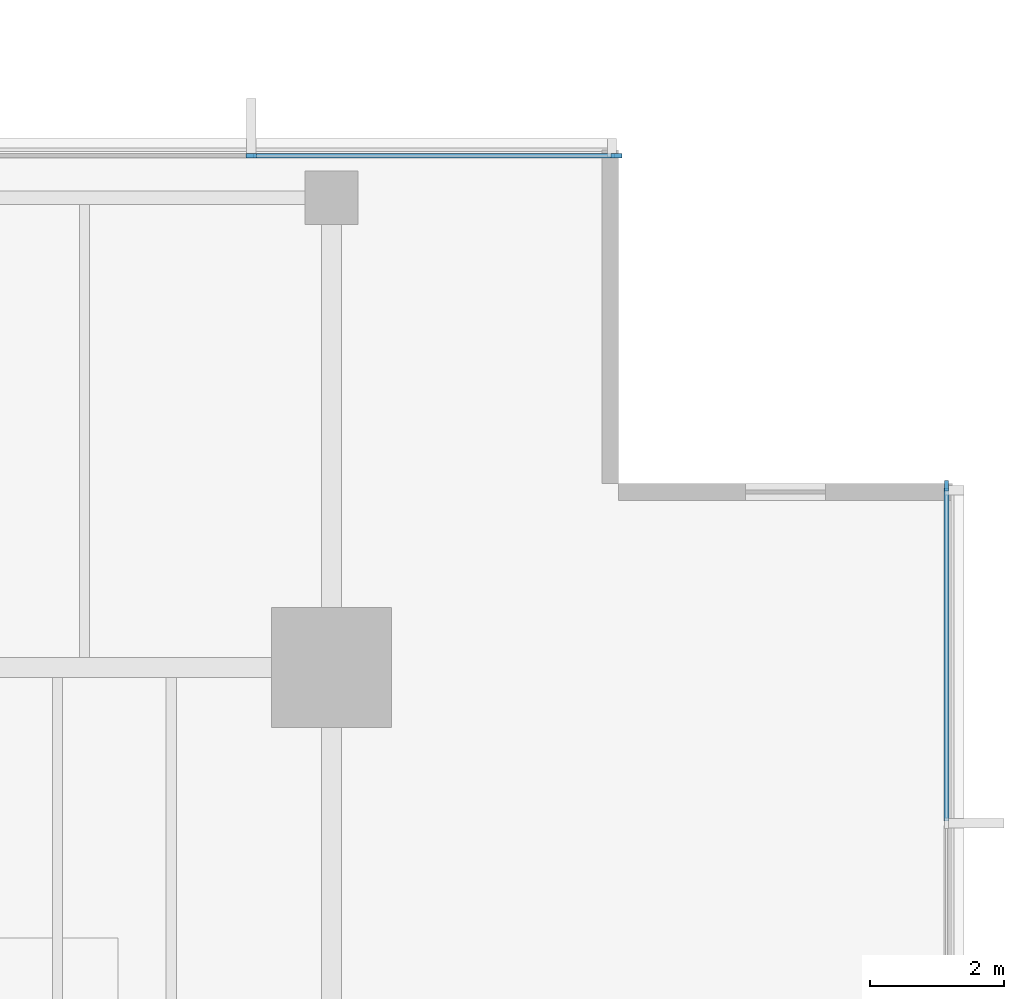
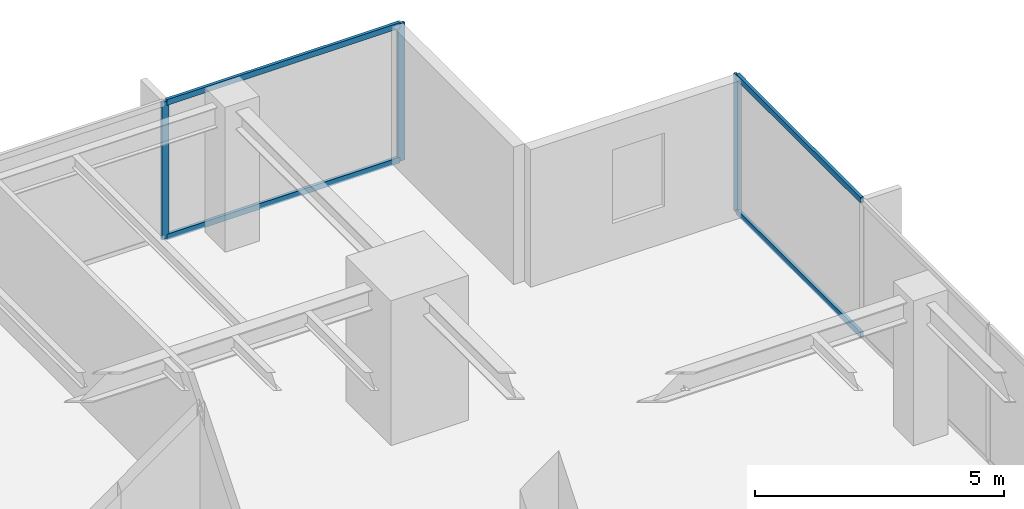
# One storey, part 6 of 14: 7 members, 2 elements without a shape of their own.
"""IFC4 building model written with IfcOpenShell, lengths in metres."""

from ifc_helpers import new_model, si_unit, direction, frame, origin, origin_2d, place, context, subcontext, project, spatial, rectangle, extrude, material, layer, layer_set, material_profile, profile_set, type_object, element, aggregate, save


model = new_model("IFC4")

# Units and contexts
model_context = context("Model", 3, precision=1e-05, world=origin(), true_north=direction((0.0, 1.0)))
body_context = subcontext(model_context, "Body", "Model", "MODEL_VIEW")
ifc_project = project(units=[si_unit("LENGTHUNIT", "METRE"), si_unit("AREAUNIT", "SQUARE_METRE"), si_unit("VOLUMEUNIT", "CUBIC_METRE"), si_unit("PLANEANGLEUNIT", "RADIAN"), si_unit("MASSUNIT", "GRAM", prefix="KILO")], contexts=[model_context])

# Site, building, storey
site_placement = place(None, origin())
site = spatial("IfcSite", under=ifc_project, at=site_placement, CompositionType="ELEMENT")
building_placement = place(site_placement, origin())
building = spatial("IfcBuilding", under=site, at=building_placement, Name="Kinhvarn Gate Tower", CompositionType="ELEMENT")
storey_placement = place(building_placement, frame((0.0, 0.0, 188.050048828125)))
storey = spatial("IfcBuildingStorey", under=building, at=storey_placement, Name="L49", CompositionType="ELEMENT", Elevation=188.050048828125)

# Curtain wall, members
ifc_material = material(Name="Anodised aluminium AW-6063", Category="aluminium")
ifc_layer = layer(ifc_material, 0.179931640625)
ifc_layer_set = layer_set([ifc_layer], Name="Anodised aluminium AW-6063")
curtain_wall_type = type_object("IfcCurtainWallType", Name="CW-SYS-3", PredefinedType="NOTDEFINED", material=ifc_layer_set)
curtain_wall_1_placement = place(storey_placement, origin())
curtain_wall_1 = element("IfcCurtainWall", 1, at=curtain_wall_1_placement, inside=storey, type_object=curtain_wall_type, Name="Curtain Wall CW3 (L49)", PredefinedType="NOTDEFINED")
ifc_material_profile_1 = material_profile(ifc_material, rectangle(XDim=0.06494140625, YDim=0.159912109375, at=origin_2d()), Name="ALU 65x160")
ifc_profile_set_1 = profile_set([ifc_material_profile_1], Name="Anodised aluminium AW-6063")
member_type_1 = type_object("IfcMemberType", Name="CW-MUL-160", PredefinedType="MULLION", material=ifc_profile_set_1)
member_1_placement = place(storey_placement, frame((42.467529296875, 45.409912109375, 0.0), z_axis=(0.0, 0.0, 1.0), x_axis=(0.0, -1.0, 0.0)))
member_1 = element("IfcMember", 2, at=member_1_placement, type_object=member_type_1, Name="CW3 mullion 1", PredefinedType="MULLION", context=body_context, shape_type="SweptSolid", body=[
    extrude(rectangle(XDim=0.06494140625, YDim=0.159912109375, at=origin_2d()), origin(), (0.0, 0.0, 1.0), 3.369873046875),
])
member_2_placement = place(storey_placement, frame((37.0, 45.409912109375, 0.0), z_axis=(0.0, 0.0, 1.0), x_axis=(0.0, -1.0, 0.0)))
member_2 = element("IfcMember", 3, at=member_2_placement, type_object=member_type_1, Name="CW3 mullion 2", PredefinedType="MULLION", context=body_context, shape_type="SweptSolid", body=[
    extrude(rectangle(XDim=0.06494140625, YDim=0.159912109375, at=origin_2d()), origin(), (0.0, 0.0, 1.0), 3.369873046875),
])

# Curtain wall, member
curtain_wall_2_placement = place(storey_placement, origin())
curtain_wall_2 = element("IfcCurtainWall", 4, at=curtain_wall_2_placement, inside=storey, type_object=curtain_wall_type, Name="Curtain Wall CW3 (L49)", PredefinedType="NOTDEFINED")
member_3_placement = place(storey_placement, frame((47.409912109375, 40.467529296875, 0.0), z_axis=(0.0, 0.0, 1.0), x_axis=(-1.0, 0.0, 0.0)))
member_3 = element("IfcMember", 5, at=member_3_placement, type_object=member_type_1, Name="CW3 mullion 7", PredefinedType="MULLION", context=body_context, shape_type="SweptSolid", body=[
    extrude(rectangle(XDim=0.06494140625, YDim=0.159912109375, at=origin_2d()), origin(), (0.0, 0.0, 1.0), 3.369873046875),
])

# Member
ifc_material_profile_2 = material_profile(ifc_material, rectangle(XDim=0.070068359375, YDim=0.139892578125, at=origin_2d()), Name="ALU 70x140")
ifc_profile_set_2 = profile_set([ifc_material_profile_2], Name="Anodised aluminium AW-6063")
member_type_2 = type_object("IfcMemberType", Name="CW-TRN-140", PredefinedType="USERDEFINED", material=ifc_profile_set_2)
member_4_placement = place(storey_placement, frame((42.43505859375, 45.409912109375, 0.034912109375), z_axis=(-1.0, 0.0, 0.0), x_axis=(0.0, -1.0, 0.0)))
member_4 = element("IfcMember", 6, at=member_4_placement, type_object=member_type_2, Name="CW3 transom 1.1", ObjectType="TRANSOM", PredefinedType="USERDEFINED", context=body_context, shape_type="SweptSolid", body=[
    extrude(rectangle(XDim=0.070068359375, YDim=0.139892578125, at=origin_2d()), origin(), (0.0, 0.0, 1.0), 5.402587890625),
])

member_5_placement = place(storey_placement, frame((42.43505859375, 45.409912109375, 3.3349609375), z_axis=(-1.0, 0.0, 0.0), x_axis=(0.0, -1.0, 0.0)))
member_5 = element("IfcMember", 7, at=member_5_placement, type_object=member_type_2, Name="CW3 transom 1.2", ObjectType="TRANSOM", PredefinedType="USERDEFINED", context=body_context, shape_type="SweptSolid", body=[
    extrude(rectangle(XDim=0.070068359375, YDim=0.139892578125, at=origin_2d()), origin(), (0.0, 0.0, 1.0), 5.402587890625),
])

aggregate(curtain_wall_1, [member_1, member_2, member_4, member_5])

member_6_placement = place(storey_placement, frame((47.409912109375, 35.44921875, 0.034912109375), z_axis=(0.0, 1.0, 0.0), x_axis=(-1.0, 0.0, 0.0)))
member_6 = element("IfcMember", 8, at=member_6_placement, type_object=member_type_2, Name="CW3 transom 6.1", ObjectType="TRANSOM", PredefinedType="USERDEFINED", context=body_context, shape_type="SweptSolid", body=[
    extrude(rectangle(XDim=0.070068359375, YDim=0.139892578125, at=origin_2d()), origin(), (0.0, 0.0, 1.0), 4.98583984375),
])

member_7_placement = place(storey_placement, frame((47.409912109375, 35.44921875, 3.3349609375), z_axis=(0.0, 1.0, 0.0), x_axis=(-1.0, 0.0, 0.0)))
member_7 = element("IfcMember", 9, at=member_7_placement, type_object=member_type_2, Name="CW3 transom 6.2", ObjectType="TRANSOM", PredefinedType="USERDEFINED", context=body_context, shape_type="SweptSolid", body=[
    extrude(rectangle(XDim=0.070068359375, YDim=0.139892578125, at=origin_2d()), origin(), (0.0, 0.0, 1.0), 4.98583984375),
])

aggregate(curtain_wall_2, [member_3, member_6, member_7])

save(model, "model.ifc")
